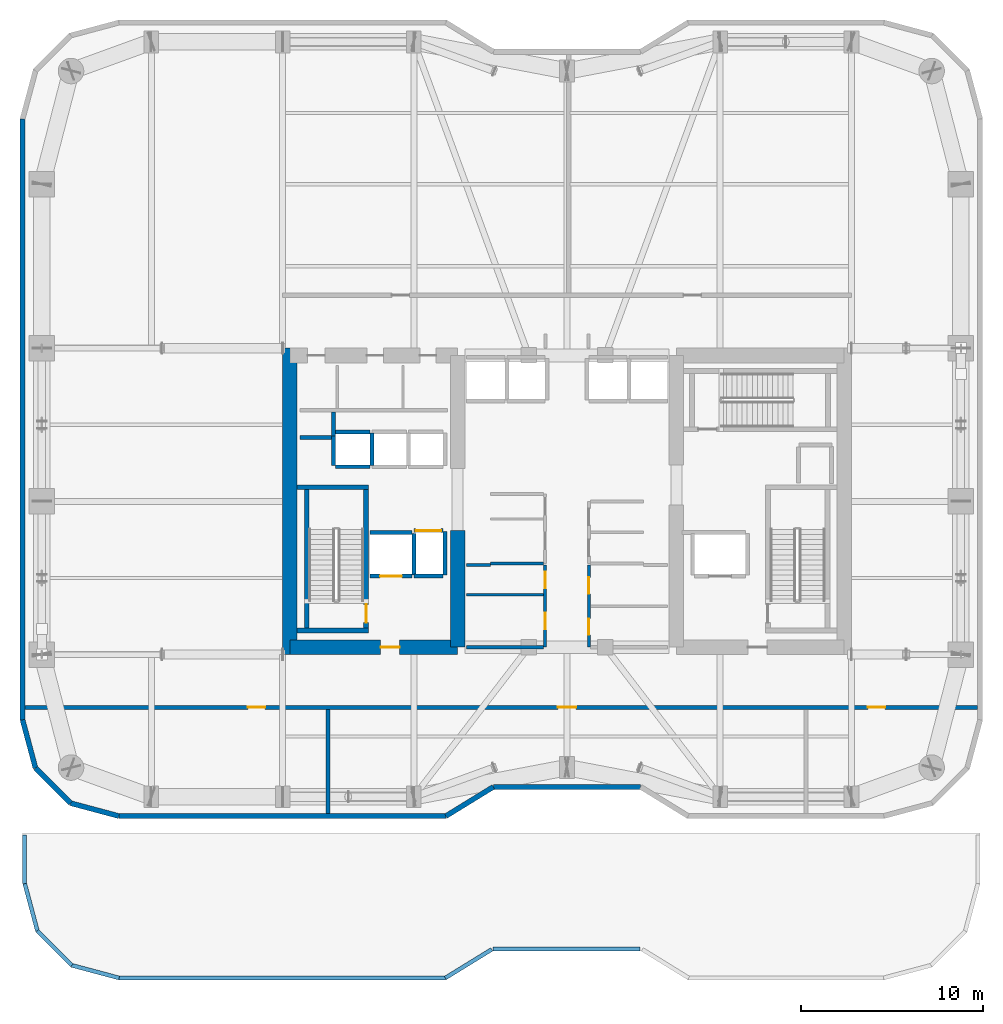
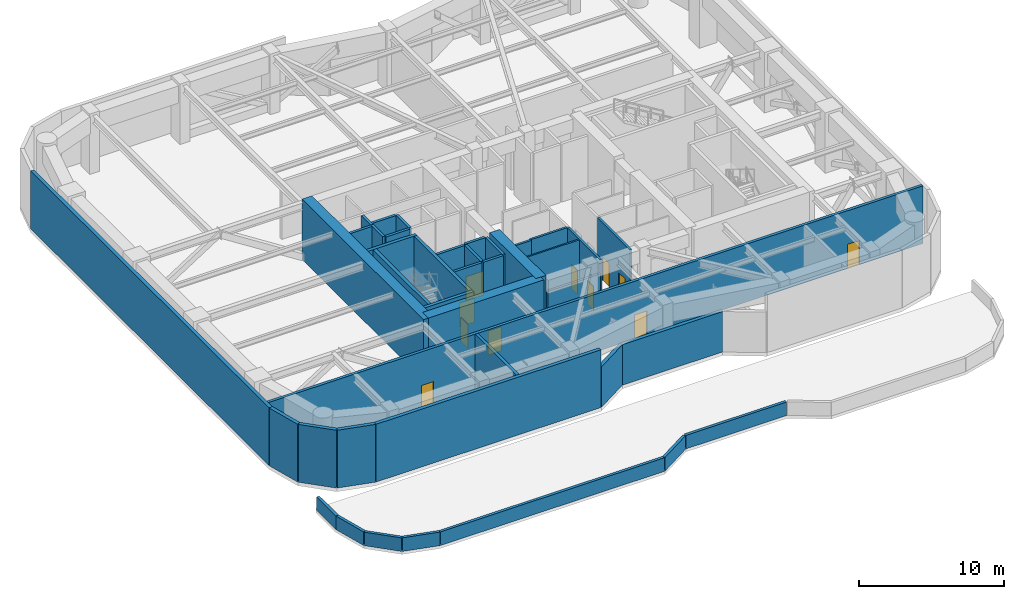
# One storey, part 12 of 16: 41 walls, 11 doors, 11 openings.
"""IFC4 building model written with IfcOpenShell, lengths in metres."""

from ifc_helpers import new_model, si_unit, direction, frame, frame_2d, origin, place, context, subcontext, project, spatial, rectangle, extrude, material, layer, layer_set, type_object, element, fill, save


model = new_model("IFC4")

# Units and contexts
model_context = context("Model", 3, precision=1e-05, world=origin(), true_north=direction((0.0, 1.0)))
body_context = subcontext(model_context, "Body", "Model", "MODEL_VIEW")
ifc_project = project(units=[si_unit("LENGTHUNIT", "METRE"), si_unit("AREAUNIT", "SQUARE_METRE"), si_unit("VOLUMEUNIT", "CUBIC_METRE"), si_unit("PLANEANGLEUNIT", "RADIAN"), si_unit("MASSUNIT", "GRAM", prefix="KILO")], contexts=[model_context])

# Site, building, storey
site_placement = place(None, origin())
site = spatial("IfcSite", under=ifc_project, at=site_placement, CompositionType="ELEMENT")
building_placement = place(site_placement, origin())
building = spatial("IfcBuilding", under=site, at=building_placement, Name="Kiyonajd Concourse Tower", CompositionType="ELEMENT")
storey_placement = place(building_placement, frame((0.0, 0.0, 145.5)))
storey = spatial("IfcBuildingStorey", under=building, at=storey_placement, Name="L37", CompositionType="ELEMENT", Elevation=145.5)

# Walls
ifc_material_1 = material(Name="Concrete C70/85", Category="concrete")
ifc_layer_1 = layer(ifc_material_1, 0.800048828125)
ifc_layer_set_1 = layer_set([ifc_layer_1], Name="Concrete C70/85")
wall_type_1 = type_object("IfcWallType", Name="WL-CORE-800", PredefinedType="SHEAR", material=ifc_layer_set_1)
wall_1_placement = place(storey_placement, frame((32.800048828125, 27.60009765625, 0.0), z_axis=(0.0, 0.0, 1.0), x_axis=(0.0, 1.0, 0.0)))
element("IfcWall", 1, at=wall_1_placement, inside=storey, type_object=wall_type_1, Name="L37 West Core Outer Shear Wall", PredefinedType="SHEAR", context=body_context, shape_type="SweptSolid", body=[
    extrude(rectangle(XDim=16.7998046875, YDim=0.800048828125, at=frame_2d((8.39990234375, 0.0))), origin(), (0.0, 0.0, 1.0), 5.10009765625),
])
wall_2_placement = place(storey_placement, frame((42.0, 28.0, 0.0), z_axis=(0.0, 0.0, 1.0), x_axis=(0.0, 1.0, 0.0)))
element("IfcWall", 2, at=wall_2_placement, inside=storey, type_object=wall_type_1, Name="L37 West Core Inner South Shear Wall", PredefinedType="SHEAR", context=body_context, shape_type="SweptSolid", body=[
    extrude(rectangle(XDim=6.39990234375, YDim=0.800048828125, at=frame_2d((3.199951171875, 0.0))), origin(), (0.0, 0.0, 1.0), 5.10009765625),
])

# Wall, opening, door
wall_3_placement = place(storey_placement, frame((32.800048828125, 28.0, 0.0), z_axis=(0.0, 0.0, 1.0), x_axis=(1.0, 0.0, 0.0)))
wall_3 = element("IfcWall", 3, at=wall_3_placement, inside=storey, type_object=wall_type_1, Name="L37 West Core South Shear Wall", PredefinedType="SHEAR", context=body_context, shape_type="SweptSolid", body=[
    extrude(rectangle(XDim=9.199951171875, YDim=0.800048828125, at=frame_2d((4.60009765625, 0.0))), origin(), (0.0, 0.0, 1.0), 5.10009765625),
])
opening_1_placement = place(wall_3_placement, frame((4.97509765625, 0.0, 0.0)))
opening_1 = element("IfcOpeningElement", 4, at=opening_1_placement, cuts=wall_3, Name="Opening DF5", PredefinedType="OPENING", context=body_context, shape_type="SweptSolid", body=[
    extrude(rectangle(XDim=1.050048828125, YDim=2.0400390625, at=frame_2d((0.52490234375, 1.02001953125))), frame((0.0, 0.409912109375, 0.0), z_axis=(0.0, -1.0, 0.0), x_axis=(1.0, 0.0, 0.0)), (0.0, 0.0, 1.0), 0.820068359375),
])
ifc_material_2 = material(Name="Brushed Stainless Steel Cab Assembly", Category="steel")
door_type_1 = type_object("IfcDoorType", Name="DR-FD45-1050", OperationType="NOTDEFINED", PredefinedType="DOOR", material=ifc_material_2)
door_1_placement = place(opening_1_placement, origin())
door_1 = element("IfcDoor", 5, at=door_1_placement, inside=storey, type_object=door_type_1, Name="L37 Firefighting Lift Lobby W Smoke Door", OperationType="SINGLE_SWING_LEFT", OverallHeight=2.0400390625, OverallWidth=1.050048828125, PredefinedType="DOOR", context=body_context, shape_type="SweptSolid", body=[
    extrude(rectangle(XDim=1.050048828125, YDim=2.0400390625, at=frame_2d((0.52490234375, 1.02001953125))), frame((0.0, 0.02490234375, 0.0), z_axis=(0.0, -1.0, 0.0), x_axis=(1.0, 0.0, 0.0)), (0.0, 0.0, 1.0), 0.050048828125),
])
fill(opening_1, door_1)

# Walls
ifc_material_3 = material(Name="Precast concrete C50/60", Category="concrete")
ifc_layer_2 = layer(ifc_material_3, 0.280029296875)
ifc_layer_set_2 = layer_set([ifc_layer_2], Name="Precast concrete C50/60")
wall_type_2 = type_object("IfcWallType", Name="WL-EXT-280", PredefinedType="SOLIDWALL", material=ifc_layer_set_2)
wall_4_placement = place(storey_placement, frame((18.139892578125, 24.018310546875, 0.0), z_axis=(0.0, 0.0, 1.0), x_axis=(0.0, 1.0, 0.0)))
element("IfcWall", 6, at=wall_4_placement, inside=storey, type_object=wall_type_2, Name="L37 Exterior Concrete Frame Wall 00", PredefinedType="SOLIDWALL", context=body_context, shape_type="SweptSolid", body=[
    extrude(rectangle(XDim=32.96337890625, YDim=0.280029296875, at=frame_2d((16.481689453125, 0.0))), origin(), (0.0, 0.0, 1.0), 4.8798828125),
])
wall_5_placement = place(storey_placement, frame((52.03955078125, 20.340087890625, 0.0), z_axis=(0.0, 0.0, 1.0), x_axis=(-1.0, 0.0, 0.0)))
element("IfcWall", 7, at=wall_5_placement, inside=storey, type_object=wall_type_2, Name="L37 Exterior Concrete Frame Wall 18", PredefinedType="SOLIDWALL", context=body_context, shape_type="SweptSolid", body=[
    extrude(rectangle(XDim=8.0791015625, YDim=0.280029296875, at=frame_2d((4.03955078125, 0.0))), origin(), (0.0, 0.0, 1.0), 3.4150390625),
])
wall_6_placement = place(storey_placement, frame((43.96044921875, 20.340087890625, 0.0), z_axis=(0.0, 0.0, 1.0), x_axis=(-0.851652825334, -0.524106349037, 0.0)))
element("IfcWall", 8, at=wall_6_placement, inside=storey, type_object=wall_type_2, Name="L37 Exterior Concrete Frame Wall 19", PredefinedType="SOLIDWALL", context=body_context, shape_type="SweptSolid", body=[
    extrude(rectangle(XDim=3.052978515625, YDim=0.280029296875, at=frame_2d((1.5263671875, 0.0))), origin(), (0.0, 0.0, 1.0), 3.4150390625),
])
wall_7_placement = place(storey_placement, frame((41.3603515625, 18.739990234375, 0.0), z_axis=(0.0, 0.0, 1.0), x_axis=(-1.0, 0.0, 0.0)))
element("IfcWall", 9, at=wall_7_placement, inside=storey, type_object=wall_type_2, Name="L37 Exterior Concrete Frame Wall 20", PredefinedType="SOLIDWALL", context=body_context, shape_type="SweptSolid", body=[
    extrude(rectangle(XDim=17.94189453125, YDim=0.280029296875, at=frame_2d((8.970947265625, 0.0))), origin(), (0.0, 0.0, 1.0), 4.8798828125),
])
wall_8_placement = place(storey_placement, frame((23.41845703125, 18.739990234375, 0.0), z_axis=(0.0, 0.0, 1.0), x_axis=(-0.965971118627, 0.258649952598, 0.0)))
element("IfcWall", 10, at=wall_8_placement, inside=storey, type_object=wall_type_2, Name="L37 Exterior Concrete Frame Wall 21", PredefinedType="SOLIDWALL", context=body_context, shape_type="SweptSolid", body=[
    extrude(rectangle(XDim=2.7392578125, YDim=0.280029296875, at=frame_2d((1.36962890625, 0.0))), origin(), (0.0, 0.0, 1.0), 4.8798828125),
])
wall_9_placement = place(storey_placement, frame((20.7724609375, 19.448486328125, 0.0), z_axis=(0.0, 0.0, 1.0), x_axis=(-0.707106781187, 0.707106781187, 0.0)))
element("IfcWall", 11, at=wall_9_placement, inside=storey, type_object=wall_type_2, Name="L37 Exterior Concrete Frame Wall 22", PredefinedType="SOLIDWALL", context=body_context, shape_type="SweptSolid", body=[
    extrude(rectangle(XDim=2.720947265625, YDim=0.280029296875, at=frame_2d((1.3603515625, 0.0))), origin(), (0.0, 0.0, 1.0), 4.8798828125),
])
wall_10_placement = place(storey_placement, frame((18.848388671875, 21.37255859375, 0.0), z_axis=(0.0, 0.0, 1.0), x_axis=(-0.258672222976, 0.9659651552, 0.0)))
element("IfcWall", 12, at=wall_10_placement, inside=storey, type_object=wall_type_2, Name="L37 Exterior Concrete Frame Wall 23", PredefinedType="SOLIDWALL", context=body_context, shape_type="SweptSolid", body=[
    extrude(rectangle(XDim=2.739013671875, YDim=0.280029296875, at=frame_2d((1.36962890625, 0.0))), origin(), (0.0, 0.0, 1.0), 4.8798828125),
])

# Wall, openings, doors
ifc_material_4 = material(Name="Gypsum Board on Cold-Formed Steel Stud", Category="steel")
ifc_layer_3 = layer(ifc_material_4, 0.22998046875)
ifc_layer_set_3 = layer_set([ifc_layer_3], Name="Gypsum Board on Cold-Formed Steel Stud")
wall_type_3 = type_object("IfcWallType", Name="WL-FIRE-230", PredefinedType="PARTITIONING", material=ifc_layer_set_3)
wall_11_placement = place(storey_placement, frame((18.27490234375, 24.699951171875, 0.0), z_axis=(0.0, 0.0, 1.0), x_axis=(1.0, 0.0, 0.0)))
wall_11 = element("IfcWall", 13, at=wall_11_placement, inside=storey, type_object=wall_type_3, Name="L37 Interior Partition Wall", PredefinedType="PARTITIONING", context=body_context, shape_type="SweptSolid", body=[
    extrude(rectangle(XDim=52.25, YDim=0.22998046875, at=frame_2d((26.125, 0.0))), origin(), (0.0, 0.0, 1.0), 4.8798828125),
])
opening_2_placement = place(wall_11_placement, frame((29.22509765625, 0.0, 0.0)))
opening_2 = element("IfcOpeningElement", 14, at=opening_2_placement, cuts=wall_11, Name="Opening DF1", PredefinedType="OPENING", context=body_context, shape_type="SweptSolid", body=[
    extrude(rectangle(XDim=1.0, YDim=2.0400390625, at=frame_2d((0.5, 1.02001953125))), frame((0.0, 0.125, 0.0), z_axis=(0.0, -1.0, 0.0), x_axis=(1.0, 0.0, 0.0)), (0.0, 0.0, 1.0), 0.25),
])
opening_3_placement = place(wall_11_placement, frame((12.22509765625, 0.0, 0.0)))
opening_3 = element("IfcOpeningElement", 15, at=opening_3_placement, cuts=wall_11, Name="Opening DF3", PredefinedType="OPENING", context=body_context, shape_type="SweptSolid", body=[
    extrude(rectangle(XDim=0.949951171875, YDim=2.0400390625, at=frame_2d((0.47509765625, 1.02001953125))), frame((0.0, 0.125, 0.0), z_axis=(0.0, -1.0, 0.0), x_axis=(1.0, 0.0, 0.0)), (0.0, 0.0, 1.0), 0.25),
])
opening_4_placement = place(wall_11_placement, frame((46.22509765625, 0.0, 0.0)))
opening_4 = element("IfcOpeningElement", 16, at=opening_4_placement, cuts=wall_11, Name="Opening DF3", PredefinedType="OPENING", context=body_context, shape_type="SweptSolid", body=[
    extrude(rectangle(XDim=0.949951171875, YDim=2.0400390625, at=frame_2d((0.47509765625, 1.02001953125))), frame((0.0, 0.125, 0.0), z_axis=(0.0, -1.0, 0.0), x_axis=(1.0, 0.0, 0.0)), (0.0, 0.0, 1.0), 0.25),
])
door_type_2 = type_object("IfcDoorType", Name="DR-FD60-950", OperationType="NOTDEFINED", PredefinedType="DOOR", material=ifc_material_2)
door_2_placement = place(opening_3_placement, origin())
door_2 = element("IfcDoor", 17, at=door_2_placement, inside=storey, type_object=door_type_2, Name="L37 Interior Door", OperationType="SINGLE_SWING_LEFT", OverallHeight=2.0400390625, OverallWidth=0.949951171875, PredefinedType="DOOR", context=body_context, shape_type="SweptSolid", body=[
    extrude(rectangle(XDim=0.949951171875, YDim=2.0400390625, at=frame_2d((0.47509765625, 1.02001953125))), frame((0.0, 0.02490234375, 0.0), z_axis=(0.0, -1.0, 0.0), x_axis=(1.0, 0.0, 0.0)), (0.0, 0.0, 1.0), 0.050048828125),
])
fill(opening_3, door_2)
door_3_placement = place(opening_4_placement, origin())
door_3 = element("IfcDoor", 18, at=door_3_placement, inside=storey, type_object=door_type_2, Name="L37 Interior Door", OperationType="SINGLE_SWING_RIGHT", OverallHeight=2.0400390625, OverallWidth=0.949951171875, PredefinedType="DOOR", context=body_context, shape_type="SweptSolid", body=[
    extrude(rectangle(XDim=0.949951171875, YDim=2.0400390625, at=frame_2d((0.47509765625, 1.02001953125))), frame((0.0, 0.02490234375, 0.0), z_axis=(0.0, -1.0, 0.0), x_axis=(1.0, 0.0, 0.0)), (0.0, 0.0, 1.0), 0.050048828125),
])
fill(opening_4, door_3)
door_type_3 = type_object("IfcDoorType", Name="DR-FD90-1000", OperationType="NOTDEFINED", PredefinedType="DOOR", material=ifc_material_2)
door_4_placement = place(opening_2_placement, origin())
door_4 = element("IfcDoor", 19, at=door_4_placement, inside=storey, type_object=door_type_3, Name="L37 Interior Door", OperationType="SINGLE_SWING_RIGHT", OverallHeight=2.0400390625, OverallWidth=1.0, PredefinedType="DOOR", context=body_context, shape_type="SweptSolid", body=[
    extrude(rectangle(XDim=1.0, YDim=2.0400390625, at=frame_2d((0.5, 1.02001953125))), frame((0.0, 0.02490234375, 0.0), z_axis=(0.0, -1.0, 0.0), x_axis=(1.0, 0.0, 0.0)), (0.0, 0.0, 1.0), 0.050048828125),
])
fill(opening_2, door_4)

# Walls
wall_12_placement = place(storey_placement, frame((34.89990234375, 18.875, 0.0), z_axis=(0.0, 0.0, 1.0), x_axis=(0.0, 1.0, 0.0)))
element("IfcWall", 20, at=wall_12_placement, inside=storey, type_object=wall_type_3, Name="L37 Interior Partition Wall", PredefinedType="PARTITIONING", context=body_context, shape_type="SweptSolid", body=[
    extrude(rectangle(XDim=5.7080078125, YDim=0.22998046875, at=frame_2d((2.85400390625, 0.0))), origin(), (0.0, 0.0, 1.0), 4.8798828125),
])
ifc_layer_4 = layer(ifc_material_3, 0.219970703125)
ifc_layer_set_4 = layer_set([ifc_layer_4], Name="Precast concrete C50/60")
wall_type_4 = type_object("IfcWallType", Name="WL-PAR-220", PredefinedType="PARAPET", material=ifc_layer_set_4)
wall_13_placement = place(storey_placement, frame((52.008056640625, 11.4599609375, 0.0), z_axis=(0.0, 0.0, 1.0), x_axis=(-0.999999933848, -0.00036373554, 0.0)))
element("IfcWall", 21, at=wall_13_placement, inside=storey, type_object=wall_type_4, Name="L37 Setback Roof Parapet 08", PredefinedType="PARAPET", context=body_context, shape_type="SweptSolid", body=[
    extrude(rectangle(XDim=8.054443359375, YDim=0.219970703125, at=frame_2d((4.02734375, 0.0))), origin(), (0.0, 0.0, 1.0), 1.14990234375),
])
wall_14_placement = place(storey_placement, frame((43.872802734375, 11.427490234375, 0.0), z_axis=(0.0, 0.0, 1.0), x_axis=(-0.851557364128, -0.524261438215, 0.0)))
element("IfcWall", 22, at=wall_14_placement, inside=storey, type_object=wall_type_4, Name="L37 Setback Roof Parapet 10", PredefinedType="PARAPET", context=body_context, shape_type="SweptSolid", body=[
    extrude(rectangle(XDim=2.98974609375, YDim=0.219970703125, at=frame_2d((1.494873046875, 0.0))), origin(), (0.0, 0.0, 1.0), 1.14990234375),
])
wall_15_placement = place(storey_placement, frame((41.326904296875, 9.860107421875, 0.0), z_axis=(0.0, 0.0, 1.0), x_axis=(-1.0, 0.0, 0.0)))
element("IfcWall", 23, at=wall_15_placement, inside=storey, type_object=wall_type_4, Name="L37 Setback Roof Parapet 11", PredefinedType="PARAPET", context=body_context, shape_type="SweptSolid", body=[
    extrude(rectangle(XDim=17.892333984375, YDim=0.219970703125, at=frame_2d((8.9462890625, 0.0))), origin(), (0.0, 0.0, 1.0), 1.14990234375),
])
wall_16_placement = place(storey_placement, frame((23.4345703125, 9.860107421875, 0.0), z_axis=(0.0, 0.0, 1.0), x_axis=(-0.966019276072, 0.258470033577, 0.0)))
element("IfcWall", 24, at=wall_16_placement, inside=storey, type_object=wall_type_4, Name="L37 Setback Roof Parapet 12", PredefinedType="PARAPET", context=body_context, shape_type="SweptSolid", body=[
    extrude(rectangle(XDim=2.691162109375, YDim=0.219970703125, at=frame_2d((1.345703125, 0.0))), origin(), (0.0, 0.0, 1.0), 1.14990234375),
])
wall_17_placement = place(storey_placement, frame((20.8349609375, 10.5556640625, 0.0), z_axis=(0.0, 0.0, 1.0), x_axis=(-0.707152710632, 0.707060848758, 0.0)))
element("IfcWall", 25, at=wall_17_placement, inside=storey, type_object=wall_type_4, Name="L37 Setback Roof Parapet 13", PredefinedType="PARAPET", context=body_context, shape_type="SweptSolid", body=[
    extrude(rectangle(XDim=2.65771484375, YDim=0.219970703125, at=frame_2d((1.328857421875, 0.0))), origin(), (0.0, 0.0, 1.0), 1.14990234375),
])
wall_18_placement = place(storey_placement, frame((18.95556640625, 12.434814453125, 0.0), z_axis=(0.0, 0.0, 1.0), x_axis=(-0.258470033577, 0.966019276072, 0.0)))
element("IfcWall", 26, at=wall_18_placement, inside=storey, type_object=wall_type_4, Name="L37 Setback Roof Parapet 14", PredefinedType="PARAPET", context=body_context, shape_type="SweptSolid", body=[
    extrude(rectangle(XDim=2.691162109375, YDim=0.219970703125, at=frame_2d((1.345703125, 0.0))), origin(), (0.0, 0.0, 1.0), 1.14990234375),
])
wall_19_placement = place(storey_placement, frame((18.260009765625, 15.034423828125, 0.0), z_axis=(0.0, 0.0, 1.0), x_axis=(0.0, 1.0, 0.0)))
element("IfcWall", 27, at=wall_19_placement, inside=storey, type_object=wall_type_4, Name="L37 Setback Roof Parapet 15", PredefinedType="PARAPET", context=body_context, shape_type="SweptSolid", body=[
    extrude(rectangle(XDim=2.655517578125, YDim=0.219970703125, at=frame_2d((1.32763671875, 0.0))), origin(), (0.0, 0.0, 1.0), 1.14990234375),
])
ifc_layer_5 = layer(ifc_material_4, 0.125)
ifc_layer_set_5 = layer_set([ifc_layer_5], Name="Gypsum Board on Cold-Formed Steel Stud")
wall_type_5 = type_object("IfcWallType", Name="WL-PART-125", PredefinedType="PARTITIONING", material=ifc_layer_set_5)
wall_20_placement = place(storey_placement, frame((42.5, 30.8798828125, 0.0), z_axis=(0.0, 0.0, 1.0), x_axis=(1.0, 0.0, 0.0)))
element("IfcWall", 28, at=wall_20_placement, inside=storey, type_object=wall_type_5, Name="L37 Interior Partition Wall", PredefinedType="PARTITIONING", context=body_context, shape_type="SweptSolid", body=[
    extrude(rectangle(XDim=4.212890625, YDim=0.125, at=frame_2d((2.1064453125, 0.0))), origin(), (0.0, 0.0, 1.0), 4.8798828125),
])
ifc_layer_6 = layer(ifc_material_4, 0.2099609375)
ifc_layer_set_6 = layer_set([ifc_layer_6], Name="Gypsum Board on Cold-Formed Steel Stud")
wall_type_6 = type_object("IfcWallType", Name="WL-SHAFT-210", PredefinedType="PARTITIONING", material=ifc_layer_set_6)
wall_21_placement = place(storey_placement, frame((33.360107421875, 39.5, 0.0), z_axis=(0.0, 0.0, 1.0), x_axis=(1.0, 0.0, 0.0)))
element("IfcWall", 29, at=wall_21_placement, inside=storey, type_object=wall_type_6, Name="L37 Shaft Enclosure Wall", PredefinedType="PARTITIONING", context=body_context, shape_type="SweptSolid", body=[
    extrude(rectangle(XDim=1.85986328125, YDim=0.2099609375, at=frame_2d((0.929931640625, 0.0))), origin(), (0.0, 0.0, 1.0), 4.8798828125),
])
wall_22_placement = place(storey_placement, frame((35.199951171875, 39.580078125, 0.0), z_axis=(0.0, 0.0, 1.0), x_axis=(0.0, 1.0, 0.0)))
element("IfcWall", 30, at=wall_22_placement, inside=storey, type_object=wall_type_6, Name="L37 Shaft Enclosure Wall", PredefinedType="PARTITIONING", context=body_context, shape_type="SweptSolid", body=[
    extrude(rectangle(XDim=1.31982421875, YDim=0.2099609375, at=frame_2d((0.659912109375, 0.0))), origin(), (0.0, 0.0, 1.0), 4.8798828125),
])

# Wall, opening, door
wall_23_placement = place(storey_placement, frame((37.199951171875, 31.89990234375, 0.0), z_axis=(0.0, 0.0, 1.0), x_axis=(1.0, 0.0, 0.0)))
wall_23 = element("IfcWall", 31, at=wall_23_placement, inside=storey, type_object=wall_type_6, Name="L37 Shaft Enclosure Wall", PredefinedType="PARTITIONING", context=body_context, shape_type="SweptSolid", body=[
    extrude(rectangle(XDim=2.300048828125, YDim=0.2099609375, at=frame_2d((1.14990234375, 0.0))), origin(), (0.0, 0.0, 1.0), 4.8798828125),
])
opening_5_placement = place(wall_23_placement, frame((0.550048828125, 0.0, 0.0)))
opening_5 = element("IfcOpeningElement", 32, at=opening_5_placement, cuts=wall_23, Name="Opening LD2", PredefinedType="OPENING", context=body_context, shape_type="SweptSolid", body=[
    extrude(rectangle(XDim=1.199951171875, YDim=2.0400390625, at=frame_2d((0.60009765625, 1.02001953125))), frame((0.0, 0.114990234375, 0.0), z_axis=(0.0, -1.0, 0.0), x_axis=(1.0, 0.0, 0.0)), (0.0, 0.0, 1.0), 0.22998046875),
])
door_type_4 = type_object("IfcDoorType", Name="DR-LD-1200", OperationType="DOUBLE_DOOR_SLIDING", PredefinedType="DOOR", material=ifc_material_2)
door_5_placement = place(opening_5_placement, origin())
door_5 = element("IfcDoor", 33, at=door_5_placement, inside=storey, type_object=door_type_4, Name="L37 Lift FFL1 Sliding Landing Door", OperationType="DOUBLE_DOOR_SLIDING", OverallHeight=2.0400390625, OverallWidth=1.199951171875, PredefinedType="DOOR", context=body_context, shape_type="SweptSolid", body=[
    extrude(rectangle(XDim=1.199951171875, YDim=2.0400390625, at=frame_2d((0.60009765625, 1.02001953125))), frame((0.0, 0.02490234375, 0.0), z_axis=(0.0, -1.0, 0.0), x_axis=(1.0, 0.0, 0.0)), (0.0, 0.0, 1.0), 0.050048828125),
])
fill(opening_5, door_5)

# Walls
wall_24_placement = place(storey_placement, frame((37.199951171875, 34.300048828125, 0.0), z_axis=(0.0, 0.0, 1.0), x_axis=(1.0, 0.0, 0.0)))
element("IfcWall", 34, at=wall_24_placement, inside=storey, type_object=wall_type_6, Name="L37 Shaft Enclosure Wall", PredefinedType="PARTITIONING", context=body_context, shape_type="SweptSolid", body=[
    extrude(rectangle(XDim=2.300048828125, YDim=0.2099609375, at=frame_2d((1.14990234375, 0.0))), origin(), (0.0, 0.0, 1.0), 4.8798828125),
])
wall_25_placement = place(storey_placement, frame((39.60009765625, 31.9599609375, 0.0), z_axis=(0.0, 0.0, 1.0), x_axis=(0.0, 1.0, 0.0)))
element("IfcWall", 35, at=wall_25_placement, inside=storey, type_object=wall_type_6, Name="L37 Shaft Enclosure Wall", PredefinedType="PARTITIONING", context=body_context, shape_type="SweptSolid", body=[
    extrude(rectangle(XDim=2.280029296875, YDim=0.2099609375, at=frame_2d((1.14013671875, 0.0))), origin(), (0.0, 0.0, 1.0), 4.8798828125),
])

# Wall, opening, door
wall_26_placement = place(storey_placement, frame((39.60009765625, 34.39990234375, 0.0), z_axis=(0.0, 0.0, 1.0), x_axis=(1.0, 0.0, 0.0)))
wall_26 = element("IfcWall", 36, at=wall_26_placement, inside=storey, type_object=wall_type_6, Name="L37 Shaft Enclosure Wall", PredefinedType="PARTITIONING", context=body_context, shape_type="SweptSolid", body=[
    extrude(rectangle(XDim=1.599853515625, YDim=0.2099609375, at=frame_2d((0.7998046875, 0.0))), origin(), (0.0, 0.0, 1.0), 4.8798828125),
])
opening_6_placement = place(wall_26_placement, frame((0.10009765625, 0.0, 0.0)))
opening_6 = element("IfcOpeningElement", 37, at=opening_6_placement, cuts=wall_26, Name="Opening LD3", PredefinedType="OPENING", context=body_context, shape_type="SweptSolid", body=[
    extrude(rectangle(XDim=1.39990234375, YDim=2.06005859375, at=frame_2d((0.699951171875, 1.030029296875))), frame((0.0, 0.114990234375, 0.0), z_axis=(0.0, -1.0, 0.0), x_axis=(1.0, 0.0, 0.0)), (0.0, 0.0, 1.0), 0.22998046875),
])
door_type_5 = type_object("IfcDoorType", Name="DR-LD-1400", OperationType="DOUBLE_DOOR_SLIDING", PredefinedType="DOOR", material=ifc_material_2)
door_6_placement = place(opening_6_placement, origin())
door_6 = element("IfcDoor", 38, at=door_6_placement, inside=storey, type_object=door_type_5, Name="L37 Lift SVL1 Sliding Landing Door", OperationType="DOUBLE_DOOR_SLIDING", OverallHeight=2.06005859375, OverallWidth=1.39990234375, PredefinedType="DOOR", context=body_context, shape_type="SweptSolid", body=[
    extrude(rectangle(XDim=1.39990234375, YDim=2.06005859375, at=frame_2d((0.699951171875, 1.030029296875))), frame((0.0, 0.02490234375, 0.0), z_axis=(0.0, -1.0, 0.0), x_axis=(1.0, 0.0, 0.0)), (0.0, 0.0, 1.0), 0.050048828125),
])
fill(opening_6, door_6)

# Walls
wall_27_placement = place(storey_placement, frame((39.60009765625, 31.89990234375, 0.0), z_axis=(0.0, 0.0, 1.0), x_axis=(1.0, 0.0, 0.0)))
element("IfcWall", 39, at=wall_27_placement, inside=storey, type_object=wall_type_6, Name="L37 Shaft Enclosure Wall", PredefinedType="PARTITIONING", context=body_context, shape_type="SweptSolid", body=[
    extrude(rectangle(XDim=1.599853515625, YDim=0.2099609375, at=frame_2d((0.7998046875, 0.0))), origin(), (0.0, 0.0, 1.0), 4.8798828125),
])
wall_28_placement = place(storey_placement, frame((41.300048828125, 31.9599609375, 0.0), z_axis=(0.0, 0.0, 1.0), x_axis=(0.0, 1.0, 0.0)))
element("IfcWall", 40, at=wall_28_placement, inside=storey, type_object=wall_type_6, Name="L37 Shaft Enclosure Wall", PredefinedType="PARTITIONING", context=body_context, shape_type="SweptSolid", body=[
    extrude(rectangle(XDim=2.380126953125, YDim=0.2099609375, at=frame_2d((1.18994140625, 0.0))), origin(), (0.0, 0.0, 1.0), 4.8798828125),
])
for number, where, z_axis, x_axis, name in (
    (41, (35.300048828125, 37.89990234375, 0.0), (0.0, 0.0, 1.0), (1.0, 0.0, 0.0), "L37 Shaft Enclosure Wall"),
    (42, (35.300048828125, 39.800048828125, 0.0), (0.0, 0.0, 1.0), (1.0, 0.0, 0.0), "L37 Shaft Enclosure Wall"),
):
    element("IfcWall", number, at=place(storey_placement, frame(where, z_axis=z_axis, x_axis=x_axis)), inside=storey, type_object=wall_type_6, Name=name, PredefinedType="PARTITIONING", context=body_context, shape_type="SweptSolid", body=[
        extrude(rectangle(XDim=1.89990234375, YDim=0.2099609375, at=frame_2d((0.949951171875, 0.0))), origin(), (0.0, 0.0, 1.0), 4.8798828125),
    ])
wall_29_placement = place(storey_placement, frame((35.199951171875, 37.9599609375, 0.0), z_axis=(0.0, 0.0, 1.0), x_axis=(0.0, 1.0, 0.0)))
element("IfcWall", 43, at=wall_29_placement, inside=storey, type_object=wall_type_6, Name="L37 Shaft Enclosure Wall", PredefinedType="PARTITIONING", context=body_context, shape_type="SweptSolid", body=[
    extrude(rectangle(XDim=1.6201171875, YDim=0.2099609375, at=frame_2d((0.81005859375, 0.0))), origin(), (0.0, 0.0, 1.0), 4.8798828125),
])
wall_30_placement = place(storey_placement, frame((37.300048828125, 37.9599609375, 0.0), z_axis=(0.0, 0.0, 1.0), x_axis=(0.0, 1.0, 0.0)))
element("IfcWall", 44, at=wall_30_placement, inside=storey, type_object=wall_type_6, Name="L37 Shaft Enclosure Wall", PredefinedType="PARTITIONING", context=body_context, shape_type="SweptSolid", body=[
    extrude(rectangle(XDim=1.780029296875, YDim=0.2099609375, at=frame_2d((0.89013671875, 0.0))), origin(), (0.0, 0.0, 1.0), 4.8798828125),
])
ifc_layer_7 = layer(ifc_material_4, 0.169921875)
ifc_layer_set_7 = layer_set([ifc_layer_7], Name="Gypsum Board on Cold-Formed Steel Stud")
wall_type_7 = type_object("IfcWallType", Name="WL-SMK-170", PredefinedType="PARTITIONING", material=ifc_layer_set_7)
wall_31_placement = place(storey_placement, frame((43.800048828125, 32.60009765625, 0.0), z_axis=(0.0, 0.0, 1.0), x_axis=(1.0, 0.0, 0.0)))
element("IfcWall", 45, at=wall_31_placement, inside=storey, type_object=wall_type_7, Name="L37 Interior Partition Wall", PredefinedType="PARTITIONING", context=body_context, shape_type="SweptSolid", body=[
    extrude(rectangle(XDim=2.912841796875, YDim=0.169921875, at=frame_2d((1.45654296875, 0.0))), origin(), (0.0, 0.0, 1.0), 4.8798828125),
])

# Wall, openings, doors
wall_32_placement = place(storey_placement, frame((46.800048828125, 28.0, 0.0), z_axis=(0.0, 0.0, 1.0), x_axis=(0.0, 1.0, 0.0)))
wall_32 = element("IfcWall", 46, at=wall_32_placement, inside=storey, type_object=wall_type_7, Name="L37 Interior Partition Wall", PredefinedType="PARTITIONING", context=body_context, shape_type="SweptSolid", body=[
    extrude(rectangle(XDim=4.5, YDim=0.169921875, at=frame_2d((2.25, 0.0))), origin(), (0.0, 0.0, 1.0), 4.8798828125),
])
opening_7_placement = place(wall_32_placement, frame((0.989990234375, 0.0, 0.0)))
opening_7 = element("IfcOpeningElement", 47, at=opening_7_placement, cuts=wall_32, Name="Opening DF4", PredefinedType="OPENING", context=body_context, shape_type="SweptSolid", body=[
    extrude(rectangle(XDim=0.89990234375, YDim=2.02001953125, at=frame_2d((0.449951171875, 1.010009765625))), frame((0.0, 0.094970703125, 0.0), z_axis=(0.0, -1.0, 0.0), x_axis=(1.0, 0.0, 0.0)), (0.0, 0.0, 1.0), 0.18994140625),
])
opening_8_placement = place(wall_32_placement, frame((3.239990234375, 0.0, 0.0)))
opening_8 = element("IfcOpeningElement", 48, at=opening_8_placement, cuts=wall_32, Name="Opening DF4", PredefinedType="OPENING", context=body_context, shape_type="SweptSolid", body=[
    extrude(rectangle(XDim=0.89990234375, YDim=2.02001953125, at=frame_2d((0.449951171875, 1.010009765625))), frame((0.0, 0.094970703125, 0.0), z_axis=(0.0, -1.0, 0.0), x_axis=(1.0, 0.0, 0.0)), (0.0, 0.0, 1.0), 0.18994140625),
])
door_type_6 = type_object("IfcDoorType", Name="DR-FD60-900", OperationType="NOTDEFINED", PredefinedType="DOOR", material=ifc_material_2)
door_7_placement = place(opening_7_placement, origin())
door_7 = element("IfcDoor", 49, at=door_7_placement, inside=storey, type_object=door_type_6, Name="L37 Interior Door", OperationType="SINGLE_SWING_RIGHT", OverallHeight=2.02001953125, OverallWidth=0.89990234375, PredefinedType="DOOR", context=body_context, shape_type="SweptSolid", body=[
    extrude(rectangle(XDim=0.89990234375, YDim=2.02001953125, at=frame_2d((0.449951171875, 1.010009765625))), frame((0.0, 0.02490234375, 0.0), z_axis=(0.0, -1.0, 0.0), x_axis=(1.0, 0.0, 0.0)), (0.0, 0.0, 1.0), 0.050048828125),
])
fill(opening_7, door_7)
door_8_placement = place(opening_8_placement, origin())
door_8 = element("IfcDoor", 50, at=door_8_placement, inside=storey, type_object=door_type_6, Name="L37 Interior Door", OperationType="SINGLE_SWING_LEFT", OverallHeight=2.02001953125, OverallWidth=0.89990234375, PredefinedType="DOOR", context=body_context, shape_type="SweptSolid", body=[
    extrude(rectangle(XDim=0.89990234375, YDim=2.02001953125, at=frame_2d((0.449951171875, 1.010009765625))), frame((0.0, 0.02490234375, 0.0), z_axis=(0.0, -1.0, 0.0), x_axis=(1.0, 0.0, 0.0)), (0.0, 0.0, 1.0), 0.050048828125),
])
fill(opening_8, door_8)

# Walls
wall_33_placement = place(storey_placement, frame((42.5, 28.0, 0.0), z_axis=(0.0, 0.0, 1.0), x_axis=(1.0, 0.0, 0.0)))
element("IfcWall", 51, at=wall_33_placement, inside=storey, type_object=wall_type_7, Name="L37 Interior Partition Wall", PredefinedType="PARTITIONING", context=body_context, shape_type="SweptSolid", body=[
    extrude(rectangle(XDim=4.212890625, YDim=0.169921875, at=frame_2d((2.1064453125, 0.0))), origin(), (0.0, 0.0, 1.0), 3.764892578125),
])
wall_34_placement = place(storey_placement, frame((42.5, 32.5, 0.0), z_axis=(0.0, 0.0, 1.0), x_axis=(1.0, 0.0, 0.0)))
element("IfcWall", 52, at=wall_34_placement, inside=storey, type_object=wall_type_7, Name="L37 Interior Partition Wall", PredefinedType="PARTITIONING", context=body_context, shape_type="SweptSolid", body=[
    extrude(rectangle(XDim=1.300048828125, YDim=0.169921875, at=frame_2d((0.64990234375, 0.0))), origin(), (0.0, 0.0, 1.0), 4.8798828125),
])

# Wall, openings, doors
wall_35_placement = place(storey_placement, frame((49.199951171875, 28.0, 0.0), z_axis=(0.0, 0.0, 1.0), x_axis=(0.0, 1.0, 0.0)))
wall_35 = element("IfcWall", 53, at=wall_35_placement, inside=storey, type_object=wall_type_7, Name="L37 Interior Partition Wall", PredefinedType="PARTITIONING", context=body_context, shape_type="SweptSolid", body=[
    extrude(rectangle(XDim=4.5, YDim=0.169921875, at=frame_2d((2.25, 0.0))), origin(), (0.0, 0.0, 1.0), 4.8798828125),
])
opening_9_placement = place(wall_35_placement, frame((0.675048828125, 0.0, 0.0)))
opening_9 = element("IfcOpeningElement", 54, at=opening_9_placement, cuts=wall_35, Name="Opening DI2", PredefinedType="OPENING", context=body_context, shape_type="SweptSolid", body=[
    extrude(rectangle(XDim=0.89990234375, YDim=2.02001953125, at=frame_2d((0.449951171875, 1.010009765625))), frame((0.0, 0.094970703125, 0.0), z_axis=(0.0, -1.0, 0.0), x_axis=(1.0, 0.0, 0.0)), (0.0, 0.0, 1.0), 0.18994140625),
])
opening_10_placement = place(wall_35_placement, frame((2.925048828125, 0.0, 0.0)))
opening_10 = element("IfcOpeningElement", 55, at=opening_10_placement, cuts=wall_35, Name="Opening DI2", PredefinedType="OPENING", context=body_context, shape_type="SweptSolid", body=[
    extrude(rectangle(XDim=0.89990234375, YDim=2.02001953125, at=frame_2d((0.449951171875, 1.010009765625))), frame((0.0, 0.094970703125, 0.0), z_axis=(0.0, -1.0, 0.0), x_axis=(1.0, 0.0, 0.0)), (0.0, 0.0, 1.0), 0.18994140625),
])
ifc_material_5 = material(Name="Natural Oak Acoustic Timber Veneer", Category="wood")
door_type_7 = type_object("IfcDoorType", Name="DR-INT-900", OperationType="NOTDEFINED", PredefinedType="DOOR", material=ifc_material_5)
door_9_placement = place(opening_9_placement, origin())
door_9 = element("IfcDoor", 56, at=door_9_placement, inside=storey, type_object=door_type_7, Name="L37 Interior Door", OperationType="SINGLE_SWING_RIGHT", OverallHeight=2.02001953125, OverallWidth=0.89990234375, PredefinedType="DOOR", context=body_context, shape_type="SweptSolid", body=[
    extrude(rectangle(XDim=0.89990234375, YDim=2.02001953125, at=frame_2d((0.449951171875, 1.010009765625))), frame((0.0, 0.02490234375, 0.0), z_axis=(0.0, -1.0, 0.0), x_axis=(1.0, 0.0, 0.0)), (0.0, 0.0, 1.0), 0.050048828125),
])
fill(opening_9, door_9)
door_10_placement = place(opening_10_placement, origin())
door_10 = element("IfcDoor", 57, at=door_10_placement, inside=storey, type_object=door_type_7, Name="L37 Interior Door", OperationType="SINGLE_SWING_LEFT", OverallHeight=2.02001953125, OverallWidth=0.89990234375, PredefinedType="DOOR", context=body_context, shape_type="SweptSolid", body=[
    extrude(rectangle(XDim=0.89990234375, YDim=2.02001953125, at=frame_2d((0.449951171875, 1.010009765625))), frame((0.0, 0.02490234375, 0.0), z_axis=(0.0, -1.0, 0.0), x_axis=(1.0, 0.0, 0.0)), (0.0, 0.0, 1.0), 0.050048828125),
])
fill(opening_10, door_10)

# Walls
ifc_material_6 = material(Name="Concrete C50/60", Category="concrete")
ifc_layer_8 = layer(ifc_material_6, 0.260009765625)
ifc_layer_set_8 = layer_set([ifc_layer_8], Name="Concrete C50/60")
wall_type_8 = type_object("IfcWallType", Name="WL-STAIR-260", PredefinedType="SHEAR", material=ifc_layer_set_8)
for number, where, z_axis, x_axis, name in (
    (58, (33.199951171875, 28.919921875, 0.0), (0.0, 0.0, 1.0), (1.0, 0.0, 0.0), "L37 Stair ST1 Structural South Wall"),
    (59, (33.199951171875, 36.780029296875, 0.0), (0.0, 0.0, 1.0), (1.0, 0.0, 0.0), "L37 Stair ST1 Structural North Wall"),
):
    element("IfcWall", number, at=place(storey_placement, frame(where, z_axis=z_axis, x_axis=x_axis)), inside=storey, type_object=wall_type_8, Name=name, PredefinedType="SHEAR", context=body_context, shape_type="SweptSolid", body=[
        extrude(rectangle(XDim=3.91015625, YDim=0.260009765625, at=frame_2d((1.955078125, 0.0))), origin(), (0.0, 0.0, 1.0), 5.10009765625),
    ])
wall_36_placement = place(storey_placement, frame((33.719970703125, 29.050048828125, 0.0), z_axis=(0.0, 0.0, 1.0), x_axis=(0.0, 1.0, 0.0)))
element("IfcWall", 60, at=wall_36_placement, inside=storey, type_object=wall_type_8, Name="L37 Stair ST1 Structural West Wall", PredefinedType="SHEAR", context=body_context, shape_type="SweptSolid", body=[
    extrude(rectangle(XDim=7.599853515625, YDim=0.260009765625, at=frame_2d((3.7998046875, 0.0))), origin(), (0.0, 0.0, 1.0), 5.10009765625),
])

# Wall, opening, door
wall_37_placement = place(storey_placement, frame((36.97998046875, 29.050048828125, 0.0), z_axis=(0.0, 0.0, 1.0), x_axis=(0.0, 1.0, 0.0)))
wall_37 = element("IfcWall", 61, at=wall_37_placement, inside=storey, type_object=wall_type_8, Name="L37 Stair ST1 Structural East Wall", PredefinedType="SHEAR", context=body_context, shape_type="SweptSolid", body=[
    extrude(rectangle(XDim=7.599853515625, YDim=0.260009765625, at=frame_2d((3.7998046875, 0.0))), origin(), (0.0, 0.0, 1.0), 5.10009765625),
])
opening_11_placement = place(wall_37_placement, frame((0.300048828125, 0.0, 0.0)))
opening_11 = element("IfcOpeningElement", 62, at=opening_11_placement, cuts=wall_37, Name="Opening DF1", PredefinedType="OPENING", context=body_context, shape_type="SweptSolid", body=[
    extrude(rectangle(XDim=1.0, YDim=2.0400390625, at=frame_2d((0.5, 1.02001953125))), frame((0.0, 0.139892578125, 0.0), z_axis=(0.0, -1.0, 0.0), x_axis=(1.0, 0.0, 0.0)), (0.0, 0.0, 1.0), 0.280029296875),
])
door_11_placement = place(opening_11_placement, origin())
door_11 = element("IfcDoor", 63, at=door_11_placement, inside=storey, type_object=door_type_3, Name="L37 Stair ST1 FSAE Door", OperationType="SINGLE_SWING_LEFT", OverallHeight=2.0400390625, OverallWidth=1.0, PredefinedType="DOOR", context=body_context, shape_type="SweptSolid", body=[
    extrude(rectangle(XDim=1.0, YDim=2.0400390625, at=frame_2d((0.5, 1.02001953125))), frame((0.0, 0.02490234375, 0.0), z_axis=(0.0, -1.0, 0.0), x_axis=(1.0, 0.0, 0.0)), (0.0, 0.0, 1.0), 0.050048828125),
])
fill(opening_11, door_11)

save(model, "model.ifc")
